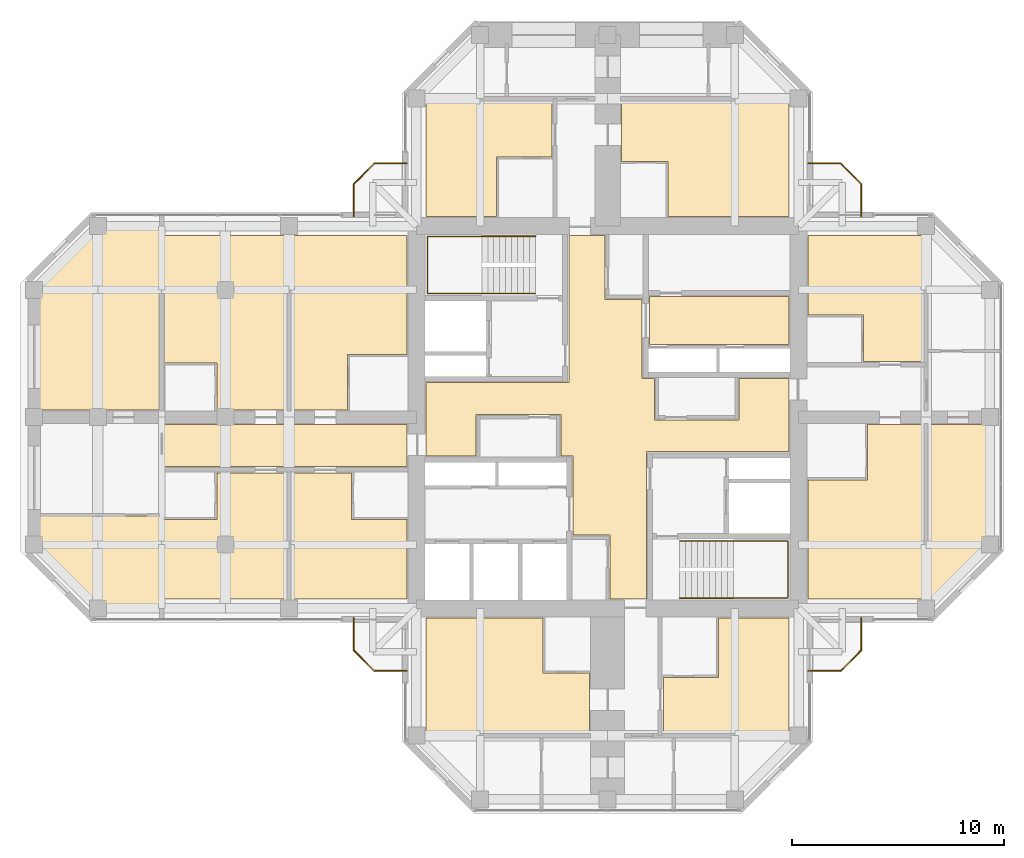
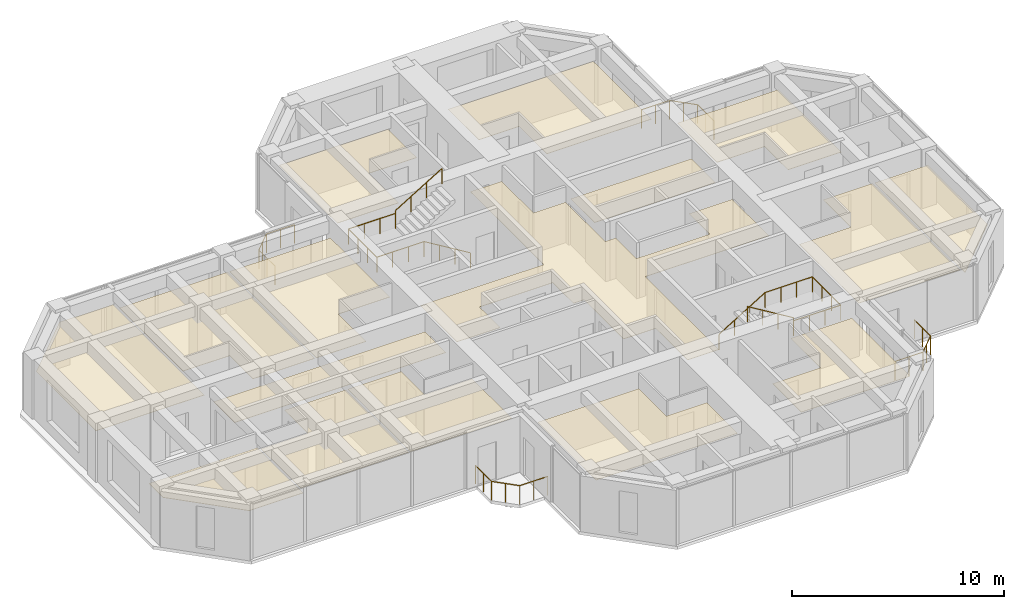
# One storey, part 14 of 14: 16 coverings, 8 railings.
"""IFC4 building model written with IfcOpenShell, lengths in metres."""

from ifc_helpers import new_model, si_unit, direction, frame, origin, origin_2d, place, context, subcontext, project, spatial, polyline, circle, outline, extrude, material, layer, layer_set, constituent, constituent_set, type_object, element, save


model = new_model("IFC4")

# Units and contexts
model_context = context("Model", 3, precision=1e-05, world=origin(), true_north=direction((0.0, 1.0)))
body_context = subcontext(model_context, "Body", "Model", "MODEL_VIEW")
ifc_project = project(units=[si_unit("LENGTHUNIT", "METRE"), si_unit("AREAUNIT", "SQUARE_METRE"), si_unit("VOLUMEUNIT", "CUBIC_METRE"), si_unit("PLANEANGLEUNIT", "RADIAN"), si_unit("MASSUNIT", "GRAM", prefix="KILO")], contexts=[model_context])

# Site, building, storey
site_placement = place(None, origin())
site = spatial("IfcSite", under=ifc_project, at=site_placement, CompositionType="ELEMENT")
building_placement = place(site_placement, origin())
building = spatial("IfcBuilding", under=site, at=building_placement, Name="Torre Cruceta", CompositionType="ELEMENT")
storey_placement = place(building_placement, frame((0.0, 0.0, 228.89990234375)))
storey = spatial("IfcBuildingStorey", under=building, at=storey_placement, Name="L58", CompositionType="ELEMENT", Elevation=228.89990234375)

# Railings
ifc_material_1 = material(Name="Stainless steel 1.4401", Category="steel")
ifc_constituent_1 = constituent(ifc_material_1, Name="Frame")
ifc_material_2 = material(Name="Laminated safety glass", Category="glass")
ifc_constituent_2 = constituent(ifc_material_2, Name="Infill")
ifc_constituent_set = constituent_set(constituents=[ifc_constituent_1, ifc_constituent_2], Name="Stainless steel and laminated glass balustrade")
railing_type_1 = type_object("IfcRailingType", Name="BALCONY BALUSTRADE 1100", PredefinedType="BALUSTRADE", material=ifc_constituent_set)
railing_1_placement = place(storey_placement, frame((-9.449951171875, 11.949951171875, 0.0)))
element("IfcRailing", 1, at=railing_1_placement, inside=storey, type_object=railing_type_1, Name="BL1 balcony balustrade L58 N", PredefinedType="BALUSTRADE", context=body_context, shape_type="SweptSolid", body=[
    extrude(circle(Radius=0.02392578125, at=origin_2d()), frame((0.0, 0.0, 1.076171875), z_axis=(-1.0, 0.0, 0.0), x_axis=(0.0, -1.0, 0.0)), (0.0, 0.0, 1.0), 1.529296875),
    extrude(circle(Radius=0.02392578125, at=origin_2d()), frame((-1.529296875, 0.0, 1.076171875), z_axis=(-0.707106781187, -0.707106781187, 0.0), x_axis=(0.707106781187, -0.707106781187, 0.0)), (0.0, 0.0, 1.0), 1.372802734375),
    extrude(circle(Radius=0.02392578125, at=origin_2d()), frame((-2.5, -0.970703125, 1.076171875), z_axis=(0.0, -1.0, 0.0), x_axis=(1.0, 0.0, 0.0)), (0.0, 0.0, 1.0), 1.529296875),
    extrude(circle(Radius=0.02099609375, at=origin_2d()), origin(), (0.0, 0.0, 1.0), 1.052001953125),
    extrude(circle(Radius=0.02099609375, at=origin_2d()), frame((-0.7646484375, 0.0, 0.0)), (0.0, 0.0, 1.0), 1.052001953125),
    extrude(circle(Radius=0.02099609375, at=origin_2d()), frame((-1.529296875, 0.0, 0.0)), (0.0, 0.0, 1.0), 1.052001953125),
    extrude(circle(Radius=0.02099609375, at=origin_2d()), frame((-2.0146484375, -0.4853515625, 0.0)), (0.0, 0.0, 1.0), 1.052001953125),
    extrude(circle(Radius=0.02099609375, at=origin_2d()), frame((-2.5, -0.970703125, 0.0)), (0.0, 0.0, 1.0), 1.052001953125),
    extrude(circle(Radius=0.02099609375, at=origin_2d()), frame((-2.5, -1.7353515625, 0.0)), (0.0, 0.0, 1.0), 1.052001953125),
    extrude(circle(Radius=0.02099609375, at=origin_2d()), frame((-2.5, -2.5, 0.0)), (0.0, 0.0, 1.0), 1.052001953125),
])
railing_2_placement = place(storey_placement, frame((9.449951171875, 11.949951171875, 0.0)))
element("IfcRailing", 2, at=railing_2_placement, inside=storey, type_object=railing_type_1, Name="BL1 balcony balustrade L58 E", PredefinedType="BALUSTRADE", context=body_context, shape_type="SweptSolid", body=[
    extrude(circle(Radius=0.02392578125, at=origin_2d()), frame((0.0, 0.0, 1.076171875), z_axis=(1.0, 0.0, 0.0), x_axis=(0.0, 1.0, 0.0)), (0.0, 0.0, 1.0), 1.529296875),
    extrude(circle(Radius=0.02392578125, at=origin_2d()), frame((1.529296875, 0.0, 1.076171875), z_axis=(0.707106781187, -0.707106781187, 0.0), x_axis=(0.707106781187, 0.707106781187, 0.0)), (0.0, 0.0, 1.0), 1.372802734375),
    extrude(circle(Radius=0.02392578125, at=origin_2d()), frame((2.5, -0.970703125, 1.076171875), z_axis=(0.0, -1.0, 0.0), x_axis=(1.0, 0.0, 0.0)), (0.0, 0.0, 1.0), 1.529296875),
    extrude(circle(Radius=0.02099609375, at=origin_2d()), origin(), (0.0, 0.0, 1.0), 1.052001953125),
    extrude(circle(Radius=0.02099609375, at=origin_2d()), frame((0.7646484375, 0.0, 0.0)), (0.0, 0.0, 1.0), 1.052001953125),
    extrude(circle(Radius=0.02099609375, at=origin_2d()), frame((1.529296875, 0.0, 0.0)), (0.0, 0.0, 1.0), 1.052001953125),
    extrude(circle(Radius=0.02099609375, at=origin_2d()), frame((2.0146484375, -0.4853515625, 0.0)), (0.0, 0.0, 1.0), 1.052001953125),
    extrude(circle(Radius=0.02099609375, at=origin_2d()), frame((2.5, -0.970703125, 0.0)), (0.0, 0.0, 1.0), 1.052001953125),
    extrude(circle(Radius=0.02099609375, at=origin_2d()), frame((2.5, -1.7353515625, 0.0)), (0.0, 0.0, 1.0), 1.052001953125),
    extrude(circle(Radius=0.02099609375, at=origin_2d()), frame((2.5, -2.5, 0.0)), (0.0, 0.0, 1.0), 1.052001953125),
])
railing_3_placement = place(storey_placement, frame((9.449951171875, -11.949951171875, 0.0)))
element("IfcRailing", 3, at=railing_3_placement, inside=storey, type_object=railing_type_1, Name="BL1 balcony balustrade L58 S", PredefinedType="BALUSTRADE", context=body_context, shape_type="SweptSolid", body=[
    extrude(circle(Radius=0.02392578125, at=origin_2d()), frame((0.0, 0.0, 1.076171875), z_axis=(1.0, 0.0, 0.0), x_axis=(0.0, 1.0, 0.0)), (0.0, 0.0, 1.0), 1.529296875),
    extrude(circle(Radius=0.02392578125, at=origin_2d()), frame((1.529296875, 0.0, 1.076171875), z_axis=(0.707106781187, 0.707106781187, 0.0), x_axis=(-0.707106781187, 0.707106781187, 0.0)), (0.0, 0.0, 1.0), 1.372802734375),
    extrude(circle(Radius=0.02392578125, at=origin_2d()), frame((2.5, 0.970703125, 1.076171875), z_axis=(0.0, 1.0, 0.0), x_axis=(-1.0, 0.0, 0.0)), (0.0, 0.0, 1.0), 1.529296875),
    extrude(circle(Radius=0.02099609375, at=origin_2d()), origin(), (0.0, 0.0, 1.0), 1.052001953125),
    extrude(circle(Radius=0.02099609375, at=origin_2d()), frame((0.7646484375, 0.0, 0.0)), (0.0, 0.0, 1.0), 1.052001953125),
    extrude(circle(Radius=0.02099609375, at=origin_2d()), frame((1.529296875, 0.0, 0.0)), (0.0, 0.0, 1.0), 1.052001953125),
    extrude(circle(Radius=0.02099609375, at=origin_2d()), frame((2.0146484375, 0.4853515625, 0.0)), (0.0, 0.0, 1.0), 1.052001953125),
    extrude(circle(Radius=0.02099609375, at=origin_2d()), frame((2.5, 0.970703125, 0.0)), (0.0, 0.0, 1.0), 1.052001953125),
    extrude(circle(Radius=0.02099609375, at=origin_2d()), frame((2.5, 1.7353515625, 0.0)), (0.0, 0.0, 1.0), 1.052001953125),
    extrude(circle(Radius=0.02099609375, at=origin_2d()), frame((2.5, 2.5, 0.0)), (0.0, 0.0, 1.0), 1.052001953125),
])
railing_4_placement = place(storey_placement, frame((-9.449951171875, -11.949951171875, 0.0)))
element("IfcRailing", 4, at=railing_4_placement, inside=storey, type_object=railing_type_1, Name="BL1 balcony balustrade L58 W", PredefinedType="BALUSTRADE", context=body_context, shape_type="SweptSolid", body=[
    extrude(circle(Radius=0.02392578125, at=origin_2d()), frame((0.0, 0.0, 1.076171875), z_axis=(-1.0, 0.0, 0.0), x_axis=(0.0, -1.0, 0.0)), (0.0, 0.0, 1.0), 1.529296875),
    extrude(circle(Radius=0.02392578125, at=origin_2d()), frame((-1.529296875, 0.0, 1.076171875), z_axis=(-0.707106781187, 0.707106781187, 0.0), x_axis=(-0.707106781187, -0.707106781187, 0.0)), (0.0, 0.0, 1.0), 1.372802734375),
    extrude(circle(Radius=0.02392578125, at=origin_2d()), frame((-2.5, 0.970703125, 1.076171875), z_axis=(0.0, 1.0, 0.0), x_axis=(-1.0, 0.0, 0.0)), (0.0, 0.0, 1.0), 1.529296875),
    extrude(circle(Radius=0.02099609375, at=origin_2d()), origin(), (0.0, 0.0, 1.0), 1.052001953125),
    extrude(circle(Radius=0.02099609375, at=origin_2d()), frame((-0.7646484375, 0.0, 0.0)), (0.0, 0.0, 1.0), 1.052001953125),
    extrude(circle(Radius=0.02099609375, at=origin_2d()), frame((-1.529296875, 0.0, 0.0)), (0.0, 0.0, 1.0), 1.052001953125),
    extrude(circle(Radius=0.02099609375, at=origin_2d()), frame((-2.0146484375, 0.4853515625, 0.0)), (0.0, 0.0, 1.0), 1.052001953125),
    extrude(circle(Radius=0.02099609375, at=origin_2d()), frame((-2.5, 0.970703125, 0.0)), (0.0, 0.0, 1.0), 1.052001953125),
    extrude(circle(Radius=0.02099609375, at=origin_2d()), frame((-2.5, 1.7353515625, 0.0)), (0.0, 0.0, 1.0), 1.052001953125),
    extrude(circle(Radius=0.02099609375, at=origin_2d()), frame((-2.5, 2.5, 0.0)), (0.0, 0.0, 1.0), 1.052001953125),
])
ifc_material_3 = material(Name="Stainless steel 1.4401", Category="steel")
railing_type_2 = type_object("IfcRailingType", Name="HANDRAIL 900", PredefinedType="HANDRAIL", material=ifc_material_3)
railing_5_placement = place(storey_placement, frame((-3.39990234375, 5.8349609375, 0.170166015625)))
element("IfcRailing", 5, at=railing_5_placement, inside=storey, type_object=railing_type_2, Name="Handrail HR1 ST1 L58", PredefinedType="HANDRAIL", context=body_context, shape_type="SweptSolid", body=[
    extrude(circle(Radius=0.02392578125, at=origin_2d()), frame((0.0, 0.0, 0.8759765625), z_axis=(-0.85478489116, 0.0, 0.518982456201), x_axis=(0.0, -1.0, 0.0)), (0.0, 0.0, 1.0), 2.9482421875),
    extrude(circle(Radius=0.02392578125, at=origin_2d()), frame((-2.52001953125, 0.0, 2.40576171875), z_axis=(-1.0, 0.0, 0.0), x_axis=(0.0, -1.0, 0.0)), (0.0, 0.0, 1.0), 2.570068359375),
    extrude(circle(Radius=0.02392578125, at=origin_2d()), frame((-5.090087890625, 0.0, 2.40576171875), z_axis=(0.0, 1.0, 0.0), x_axis=(-1.0, 0.0, 0.0)), (0.0, 0.0, 1.0), 2.679931640625),
    extrude(circle(Radius=0.02392578125, at=origin_2d()), frame((-5.090087890625, 2.679931640625, 2.40576171875), z_axis=(1.0, 0.0, 0.0), x_axis=(0.0, 1.0, 0.0)), (0.0, 0.0, 1.0), 2.570068359375),
    extrude(circle(Radius=0.02099609375, at=origin_2d()), origin(), (0.0, 0.0, 1.0), 0.851806640625),
    extrude(circle(Radius=0.02099609375, at=origin_2d()), frame((-0.840087890625, 0.0, 0.510009765625)), (0.0, 0.0, 1.0), 0.851806640625),
    extrude(circle(Radius=0.02099609375, at=origin_2d()), frame((-1.679931640625, 0.0, 1.02001953125)), (0.0, 0.0, 1.0), 0.851806640625),
    extrude(circle(Radius=0.02099609375, at=origin_2d()), frame((-2.52001953125, 0.0, 1.530029296875)), (0.0, 0.0, 1.0), 0.851806640625),
    extrude(circle(Radius=0.02099609375, at=origin_2d()), frame((-3.376708984375, 0.0, 1.530029296875)), (0.0, 0.0, 1.0), 0.851806640625),
    extrude(circle(Radius=0.02099609375, at=origin_2d()), frame((-4.2333984375, 0.0, 1.530029296875)), (0.0, 0.0, 1.0), 0.851806640625),
    extrude(circle(Radius=0.02099609375, at=origin_2d()), frame((-5.090087890625, 0.0, 1.530029296875)), (0.0, 0.0, 1.0), 0.851806640625),
    extrude(circle(Radius=0.02099609375, at=origin_2d()), frame((-5.090087890625, 0.893310546875, 1.530029296875)), (0.0, 0.0, 1.0), 0.851806640625),
    extrude(circle(Radius=0.02099609375, at=origin_2d()), frame((-5.090087890625, 1.78662109375, 1.530029296875)), (0.0, 0.0, 1.0), 0.851806640625),
    extrude(circle(Radius=0.02099609375, at=origin_2d()), frame((-5.090087890625, 2.679931640625, 1.530029296875)), (0.0, 0.0, 1.0), 0.851806640625),
    extrude(circle(Radius=0.02099609375, at=origin_2d()), frame((-4.2333984375, 2.679931640625, 1.530029296875)), (0.0, 0.0, 1.0), 0.851806640625),
    extrude(circle(Radius=0.02099609375, at=origin_2d()), frame((-3.376708984375, 2.679931640625, 1.530029296875)), (0.0, 0.0, 1.0), 0.851806640625),
    extrude(circle(Radius=0.02099609375, at=origin_2d()), frame((-2.52001953125, 2.679931640625, 1.530029296875)), (0.0, 0.0, 1.0), 0.851806640625),
])
railing_6_placement = place(storey_placement, frame((-5.919921875, 8.514892578125, 1.8701171875)))
element("IfcRailing", 6, at=railing_6_placement, inside=storey, type_object=railing_type_2, Name="Handrail HR1 ST1 L58", PredefinedType="HANDRAIL", context=body_context, shape_type="SweptSolid", body=[
    extrude(circle(Radius=0.02392578125, at=origin_2d()), frame((0.0, 0.0, 0.8759765625), z_axis=(0.85478489116, 0.0, 0.518982456201), x_axis=(0.0, 1.0, 0.0)), (0.0, 0.0, 1.0), 2.9482421875),
    extrude(circle(Radius=0.02099609375, at=origin_2d()), origin(), (0.0, 0.0, 1.0), 0.851806640625),
    extrude(circle(Radius=0.02099609375, at=origin_2d()), frame((0.840087890625, 0.0, 0.510009765625)), (0.0, 0.0, 1.0), 0.851806640625),
    extrude(circle(Radius=0.02099609375, at=origin_2d()), frame((1.679931640625, 0.0, 1.02001953125)), (0.0, 0.0, 1.0), 0.851806640625),
    extrude(circle(Radius=0.02099609375, at=origin_2d()), frame((2.52001953125, 0.0, 1.530029296875)), (0.0, 0.0, 1.0), 0.851806640625),
])
railing_7_placement = place(storey_placement, frame((3.39990234375, -5.8349609375, 0.170166015625)))
element("IfcRailing", 7, at=railing_7_placement, inside=storey, type_object=railing_type_2, Name="Handrail HR1 ST2 L58", PredefinedType="HANDRAIL", context=body_context, shape_type="SweptSolid", body=[
    extrude(circle(Radius=0.02392578125, at=origin_2d()), frame((0.0, 0.0, 0.8759765625), z_axis=(0.85478489116, 0.0, 0.518982456201), x_axis=(0.0, 1.0, 0.0)), (0.0, 0.0, 1.0), 2.9482421875),
    extrude(circle(Radius=0.02392578125, at=origin_2d()), frame((2.52001953125, 0.0, 2.40576171875), z_axis=(1.0, 0.0, 0.0), x_axis=(0.0, 1.0, 0.0)), (0.0, 0.0, 1.0), 2.570068359375),
    extrude(circle(Radius=0.02392578125, at=origin_2d()), frame((5.090087890625, 0.0, 2.40576171875), z_axis=(0.0, -1.0, 0.0), x_axis=(1.0, 0.0, 0.0)), (0.0, 0.0, 1.0), 2.679931640625),
    extrude(circle(Radius=0.02392578125, at=origin_2d()), frame((5.090087890625, -2.679931640625, 2.40576171875), z_axis=(-1.0, 0.0, 0.0), x_axis=(0.0, -1.0, 0.0)), (0.0, 0.0, 1.0), 2.570068359375),
    extrude(circle(Radius=0.02099609375, at=origin_2d()), origin(), (0.0, 0.0, 1.0), 0.851806640625),
    extrude(circle(Radius=0.02099609375, at=origin_2d()), frame((0.840087890625, 0.0, 0.510009765625)), (0.0, 0.0, 1.0), 0.851806640625),
    extrude(circle(Radius=0.02099609375, at=origin_2d()), frame((1.679931640625, 0.0, 1.02001953125)), (0.0, 0.0, 1.0), 0.851806640625),
    extrude(circle(Radius=0.02099609375, at=origin_2d()), frame((2.52001953125, 0.0, 1.530029296875)), (0.0, 0.0, 1.0), 0.851806640625),
    extrude(circle(Radius=0.02099609375, at=origin_2d()), frame((3.376708984375, 0.0, 1.530029296875)), (0.0, 0.0, 1.0), 0.851806640625),
    extrude(circle(Radius=0.02099609375, at=origin_2d()), frame((4.2333984375, 0.0, 1.530029296875)), (0.0, 0.0, 1.0), 0.851806640625),
    extrude(circle(Radius=0.02099609375, at=origin_2d()), frame((5.090087890625, 0.0, 1.530029296875)), (0.0, 0.0, 1.0), 0.851806640625),
    extrude(circle(Radius=0.02099609375, at=origin_2d()), frame((5.090087890625, -0.893310546875, 1.530029296875)), (0.0, 0.0, 1.0), 0.851806640625),
    extrude(circle(Radius=0.02099609375, at=origin_2d()), frame((5.090087890625, -1.78662109375, 1.530029296875)), (0.0, 0.0, 1.0), 0.851806640625),
    extrude(circle(Radius=0.02099609375, at=origin_2d()), frame((5.090087890625, -2.679931640625, 1.530029296875)), (0.0, 0.0, 1.0), 0.851806640625),
    extrude(circle(Radius=0.02099609375, at=origin_2d()), frame((4.2333984375, -2.679931640625, 1.530029296875)), (0.0, 0.0, 1.0), 0.851806640625),
    extrude(circle(Radius=0.02099609375, at=origin_2d()), frame((3.376708984375, -2.679931640625, 1.530029296875)), (0.0, 0.0, 1.0), 0.851806640625),
    extrude(circle(Radius=0.02099609375, at=origin_2d()), frame((2.52001953125, -2.679931640625, 1.530029296875)), (0.0, 0.0, 1.0), 0.851806640625),
])
railing_8_placement = place(storey_placement, frame((5.919921875, -8.514892578125, 1.8701171875)))
element("IfcRailing", 8, at=railing_8_placement, inside=storey, type_object=railing_type_2, Name="Handrail HR1 ST2 L58", PredefinedType="HANDRAIL", context=body_context, shape_type="SweptSolid", body=[
    extrude(circle(Radius=0.02392578125, at=origin_2d()), frame((0.0, 0.0, 0.8759765625), z_axis=(-0.85478489116, 0.0, 0.518982456201), x_axis=(0.0, -1.0, 0.0)), (0.0, 0.0, 1.0), 2.9482421875),
    extrude(circle(Radius=0.02099609375, at=origin_2d()), origin(), (0.0, 0.0, 1.0), 0.851806640625),
    extrude(circle(Radius=0.02099609375, at=origin_2d()), frame((-0.840087890625, 0.0, 0.510009765625)), (0.0, 0.0, 1.0), 0.851806640625),
    extrude(circle(Radius=0.02099609375, at=origin_2d()), frame((-1.679931640625, 0.0, 1.02001953125)), (0.0, 0.0, 1.0), 0.851806640625),
    extrude(circle(Radius=0.02099609375, at=origin_2d()), frame((-2.52001953125, 0.0, 1.530029296875)), (0.0, 0.0, 1.0), 0.851806640625),
])

# Coverings
ifc_material_4 = material(Name="Mineral fibre ceiling tile", Category="gypsum")
ifc_layer = layer(ifc_material_4, 0.02001953125)
ifc_layer_set = layer_set([ifc_layer], Name="Mineral fibre ceiling tile")
covering_type = type_object("IfcCoveringType", Name="SUSPENDED CEILING 20", PredefinedType="CEILING", material=ifc_layer_set)
covering_1_placement = place(storey_placement, frame((0.0, 0.0, 2.35009765625)))
element("IfcCovering", 9, at=covering_1_placement, inside=storey, type_object=covering_type, Name="Ceiling L58-002", PredefinedType="CEILING", context=body_context, shape_type="SweptSolid", body=[
    extrude(outline(polyline([(1.824951171875, -8.550048828125), (0.125, -8.550048828125), (0.125, -5.550048828125), (-1.625, -5.550048828125), (-1.625, -1.824951171875), (-2.199951171875, -1.824951171875), (-2.199951171875, 0.125), (-6.199951171875, 0.125), (-6.199951171875, -1.824951171875), (-8.550048828125, -1.824951171875), (-8.550048828125, 1.625), (-1.824951171875, 1.625), (-1.824951171875, 8.550048828125), (-0.125, 8.550048828125), (-0.125, 5.550048828125), (1.625, 5.550048828125), (1.625, 1.824951171875), (2.199951171875, 1.824951171875), (2.199951171875, -0.125), (6.199951171875, -0.125), (6.199951171875, 1.824951171875), (8.550048828125, 1.824951171875), (8.550048828125, -1.625), (1.824951171875, -1.625), (1.824951171875, -8.550048828125)])), origin(), (0.0, 0.0, 1.0), 0.02001953125),
])
covering_2_placement = place(storey_placement, frame((0.0, 0.0, 2.35009765625)))
element("IfcCovering", 10, at=covering_2_placement, inside=storey, type_object=covering_type, Name="Ceiling L58-007", PredefinedType="CEILING", context=body_context, shape_type="SweptSolid", body=[
    extrude(outline(polyline([(1.97509765625, 3.425048828125), (1.97509765625, 5.675048828125), (8.550048828125, 5.675048828125), (8.550048828125, 3.425048828125), (1.97509765625, 3.425048828125)])), origin(), (0.0, 0.0, 1.0), 0.02001953125),
])
covering_3_placement = place(storey_placement, frame((0.0, 0.0, 2.35009765625)))
element("IfcCovering", 11, at=covering_3_placement, inside=storey, type_object=covering_type, Name="Ceiling L58-025", PredefinedType="CEILING", context=body_context, shape_type="SweptSolid", body=[
    extrude(outline(polyline([(-8.550048828125, 9.449951171875), (-8.550048828125, 14.949951171875), (-2.625, 14.949951171875), (-2.625, 12.25), (-5.22509765625, 12.25), (-5.22509765625, 9.449951171875), (-8.550048828125, 9.449951171875)])), origin(), (0.0, 0.0, 1.0), 0.02001953125),
])
covering_4_placement = place(storey_placement, frame((0.0, 0.0, 2.35009765625)))
element("IfcCovering", 12, at=covering_4_placement, inside=storey, type_object=covering_type, Name="Ceiling L58-027", PredefinedType="CEILING", context=body_context, shape_type="SweptSolid", body=[
    extrude(outline(polyline([(0.64990234375, 14.949951171875), (8.550048828125, 14.949951171875), (8.550048828125, 9.449951171875), (2.85009765625, 9.449951171875), (2.85009765625, 12.050048828125), (0.64990234375, 12.050048828125), (0.64990234375, 14.949951171875)])), origin(), (0.0, 0.0, 1.0), 0.02001953125),
])
covering_5_placement = place(storey_placement, frame((0.0, 0.0, 2.35009765625)))
element("IfcCovering", 13, at=covering_5_placement, inside=storey, type_object=covering_type, Name="Ceiling L58-034", PredefinedType="CEILING", context=body_context, shape_type="SweptSolid", body=[
    extrude(outline(polyline([(9.449951171875, 8.550048828125), (14.949951171875, 8.550048828125), (14.949951171875, 2.625), (12.050048828125, 2.625), (12.050048828125, 4.824951171875), (9.449951171875, 4.824951171875), (9.449951171875, 8.550048828125)])), origin(), (0.0, 0.0, 1.0), 0.02001953125),
])
covering_6_placement = place(storey_placement, frame((0.0, 0.0, 2.35009765625)))
element("IfcCovering", 14, at=covering_6_placement, inside=storey, type_object=covering_type, Name="Ceiling L58-036", PredefinedType="CEILING", context=body_context, shape_type="SweptSolid", body=[
    extrude(outline(polyline([(14.949951171875, -0.35009765625), (14.949951171875, -8.550048828125), (9.449951171875, -8.550048828125), (9.449951171875, -2.949951171875), (12.25, -2.949951171875), (12.25, -0.35009765625), (14.949951171875, -0.35009765625)])), origin(), (0.0, 0.0, 1.0), 0.02001953125),
])
covering_7_placement = place(storey_placement, frame((0.0, 0.0, 2.35009765625)))
element("IfcCovering", 15, at=covering_7_placement, inside=storey, type_object=covering_type, Name="Ceiling L58-040", PredefinedType="CEILING", context=body_context, shape_type="SweptSolid", body=[
    extrude(outline(polyline([(15.050048828125, -8.87939453125), (15.050048828125, -0.35009765625), (17.949951171875, -0.35009765625), (17.949951171875, -5.979248046875), (15.050048828125, -8.87939453125)])), origin(), (0.0, 0.0, 1.0), 0.02001953125),
])
covering_8_placement = place(storey_placement, frame((0.0, 0.0, 2.35009765625)))
element("IfcCovering", 16, at=covering_8_placement, inside=storey, type_object=covering_type, Name="Ceiling L58-042", PredefinedType="CEILING", context=body_context, shape_type="SweptSolid", body=[
    extrude(outline(polyline([(8.550048828125, -9.449951171875), (8.550048828125, -14.949951171875), (2.625, -14.949951171875), (2.625, -12.25), (5.22509765625, -12.25), (5.22509765625, -9.449951171875), (8.550048828125, -9.449951171875)])), origin(), (0.0, 0.0, 1.0), 0.02001953125),
])
covering_9_placement = place(storey_placement, frame((0.0, 0.0, 2.35009765625)))
element("IfcCovering", 17, at=covering_9_placement, inside=storey, type_object=covering_type, Name="Ceiling L58-044", PredefinedType="CEILING", context=body_context, shape_type="SweptSolid", body=[
    extrude(outline(polyline([(-0.85009765625, -14.949951171875), (-8.550048828125, -14.949951171875), (-8.550048828125, -9.449951171875), (-3.050048828125, -9.449951171875), (-3.050048828125, -12.050048828125), (-0.85009765625, -12.050048828125), (-0.85009765625, -14.949951171875)])), origin(), (0.0, 0.0, 1.0), 0.02001953125),
])
covering_10_placement = place(storey_placement, frame((0.0, 0.0, 2.35009765625)))
element("IfcCovering", 18, at=covering_10_placement, inside=storey, type_object=covering_type, Name="Ceiling L58-050", PredefinedType="CEILING", context=body_context, shape_type="SweptSolid", body=[
    extrude(outline(polyline([(-9.449951171875, -0.35009765625), (-9.449951171875, -2.324951171875), (-20.949951171875, -2.324951171875), (-20.949951171875, -0.35009765625), (-9.449951171875, -0.35009765625)])), origin(), (0.0, 0.0, 1.0), 0.02001953125),
])
covering_11_placement = place(storey_placement, frame((0.0, 0.0, 2.35009765625)))
element("IfcCovering", 19, at=covering_11_placement, inside=storey, type_object=covering_type, Name="Ceiling L58-051", PredefinedType="CEILING", context=body_context, shape_type="SweptSolid", body=[
    extrude(outline(polyline([(-9.449951171875, -8.550048828125), (-14.949951171875, -8.550048828125), (-14.949951171875, -2.625), (-12.050048828125, -2.625), (-12.050048828125, -4.824951171875), (-9.449951171875, -4.824951171875), (-9.449951171875, -8.550048828125)])), origin(), (0.0, 0.0, 1.0), 0.02001953125),
])
covering_12_placement = place(storey_placement, frame((0.0, 0.0, 2.35009765625)))
element("IfcCovering", 20, at=covering_12_placement, inside=storey, type_object=covering_type, Name="Ceiling L58-053", PredefinedType="CEILING", context=body_context, shape_type="SweptSolid", body=[
    extrude(outline(polyline([(-14.949951171875, 0.35009765625), (-14.949951171875, 8.550048828125), (-9.449951171875, 8.550048828125), (-9.449951171875, 2.949951171875), (-12.25, 2.949951171875), (-12.25, 0.35009765625), (-14.949951171875, 0.35009765625)])), origin(), (0.0, 0.0, 1.0), 0.02001953125),
])
covering_13_placement = place(storey_placement, frame((0.0, 0.0, 2.35009765625)))
element("IfcCovering", 21, at=covering_13_placement, inside=storey, type_object=covering_type, Name="Ceiling L58-055", PredefinedType="CEILING", context=body_context, shape_type="SweptSolid", body=[
    extrude(outline(polyline([(-15.050048828125, -2.625), (-15.050048828125, -8.550048828125), (-20.949951171875, -8.550048828125), (-20.949951171875, -4.824951171875), (-18.39990234375, -4.824951171875), (-18.39990234375, -2.625), (-15.050048828125, -2.625)])), origin(), (0.0, 0.0, 1.0), 0.02001953125),
])
covering_14_placement = place(storey_placement, frame((0.0, 0.0, 2.35009765625)))
element("IfcCovering", 22, at=covering_14_placement, inside=storey, type_object=covering_type, Name="Ceiling L58-057", PredefinedType="CEILING", context=body_context, shape_type="SweptSolid", body=[
    extrude(outline(polyline([(-20.949951171875, 8.550048828125), (-15.050048828125, 8.550048828125), (-15.050048828125, 0.35009765625), (-18.39990234375, 0.35009765625), (-18.39990234375, 2.550048828125), (-20.949951171875, 2.550048828125), (-20.949951171875, 8.550048828125)])), origin(), (0.0, 0.0, 1.0), 0.02001953125),
])
covering_15_placement = place(storey_placement, frame((0.0, 0.0, 2.35009765625)))
element("IfcCovering", 23, at=covering_15_placement, inside=storey, type_object=covering_type, Name="Ceiling L58-060", PredefinedType="CEILING", context=body_context, shape_type="SweptSolid", body=[
    extrude(outline(polyline([(-23.979248046875, -8.949951171875), (-26.949951171875, -5.979248046875), (-26.949951171875, -4.64990234375), (-21.050048828125, -4.64990234375), (-21.050048828125, -8.949951171875), (-23.979248046875, -8.949951171875)])), origin(), (0.0, 0.0, 1.0), 0.02001953125),
])
covering_16_placement = place(storey_placement, frame((0.0, 0.0, 2.35009765625)))
element("IfcCovering", 24, at=covering_16_placement, inside=storey, type_object=covering_type, Name="Ceiling L58-061", PredefinedType="CEILING", context=body_context, shape_type="SweptSolid", body=[
    extrude(outline(polyline([(-23.979248046875, 8.949951171875), (-21.050048828125, 8.949951171875), (-21.050048828125, 0.35009765625), (-26.949951171875, 0.35009765625), (-26.949951171875, 5.979248046875), (-23.979248046875, 8.949951171875)])), origin(), (0.0, 0.0, 1.0), 0.02001953125),
])

save(model, "model.ifc")
